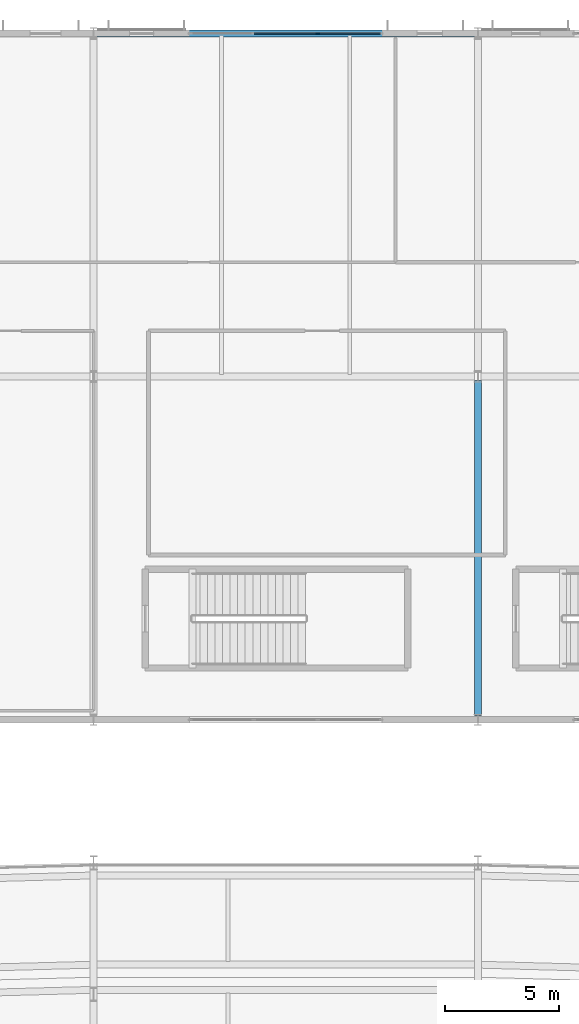
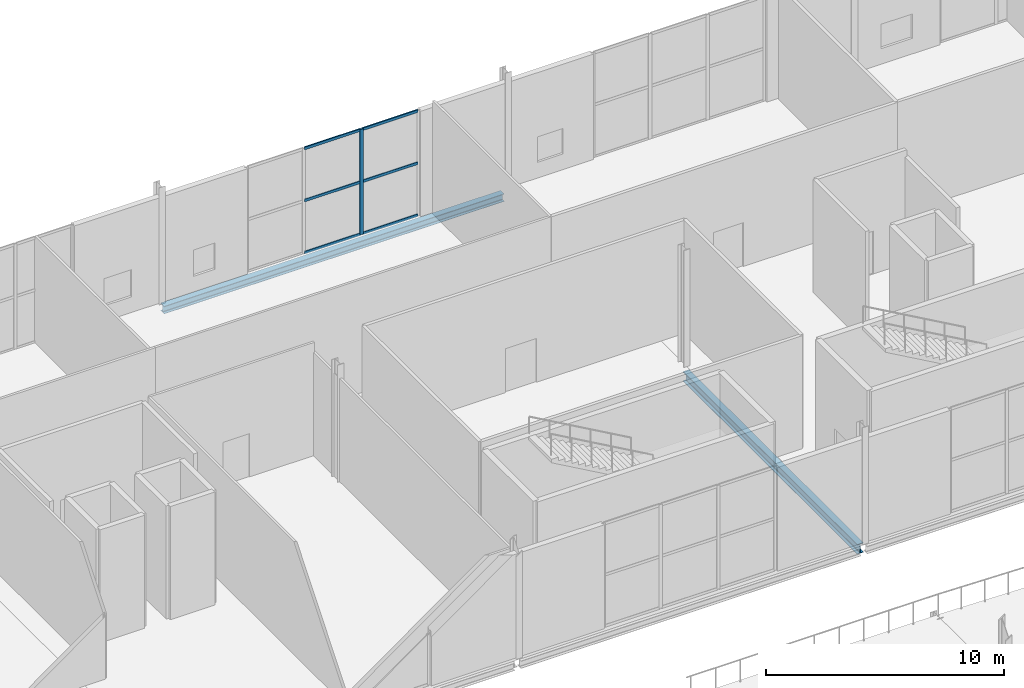
# One storey, part 42 of 100: 7 members, 2 beams, 1 element without a shape of its own.
"""IFC4 building model written with IfcOpenShell, lengths in metres."""

from ifc_helpers import new_model, si_unit, direction, frame, origin, origin_2d, place, context, subcontext, project, spatial, rectangle, i_section, extrude, material, material_profile, profile_set, type_object, element, aggregate, save


model = new_model("IFC4")

# Units and contexts
model_context = context("Model", 3, precision=1e-05, world=origin(), true_north=direction((0.0, 1.0)))
body_context = subcontext(model_context, "Body", "Model", "MODEL_VIEW")
ifc_project = project(units=[si_unit("LENGTHUNIT", "METRE"), si_unit("AREAUNIT", "SQUARE_METRE"), si_unit("VOLUMEUNIT", "CUBIC_METRE"), si_unit("PLANEANGLEUNIT", "RADIAN"), si_unit("MASSUNIT", "GRAM", prefix="KILO")], contexts=[model_context])

# Site, building, storey
site_placement = place(None, origin())
site = spatial("IfcSite", under=ifc_project, at=site_placement, CompositionType="ELEMENT")
building_placement = place(site_placement, origin())
building = spatial("IfcBuilding", under=site, at=building_placement, Name="Kimbaza Rail Terminus", CompositionType="ELEMENT")
storey_placement = place(building_placement, frame((0.0, 0.0, 10.800048828125)))
storey = spatial("IfcBuildingStorey", under=building, at=storey_placement, Name="L02", CompositionType="ELEMENT", Elevation=10.800048828125)

# Curtain wall, members
ifc_material_1 = material(Name="Anodised aluminium framing and solar low-E glazing", Category="aluminium")
curtain_wall_type = type_object("IfcCurtainWallType", Name="ARC-CW-OP1", PredefinedType="USERDEFINED", material=ifc_material_1)
curtain_wall_placement = place(storey_placement, origin())
curtain_wall = element("IfcCurtainWall", 1, at=curtain_wall_placement, inside=storey, type_object=curtain_wall_type, Name="Operations North Curtain Wall L02 Bay 4", ObjectType="UNITISED CURTAIN WALL", PredefinedType="USERDEFINED")
ifc_material_2 = material(Name="Anodised architectural aluminium", Category="aluminium")
ifc_material_profile_1 = material_profile(ifc_material_2, rectangle(XDim=0.06201171875, YDim=0.1650390625, at=origin_2d()), Name="MULLION 62x165")
ifc_profile_set_1 = profile_set([ifc_material_profile_1], Name="Anodised architectural aluminium")
member_type_1 = type_object("IfcMemberType", Name="ARC-CWM-05", PredefinedType="MULLION", material=ifc_profile_set_1)
member_1_placement = place(storey_placement, frame((115.39990234375, 133.0, 0.0), z_axis=(0.0, 0.0, 1.0), x_axis=(0.0, 1.0, 0.0)))
member_1 = element("IfcMember", 2, at=member_1_placement, type_object=member_type_1, Name="CW-05 mullion 3", PredefinedType="MULLION", context=body_context, shape_type="SweptSolid", body=[
    extrude(rectangle(XDim=0.06201171875, YDim=0.1650390625, at=origin_2d()), origin(), (0.0, 0.0, 1.0), 5.405029296875),
])
ifc_material_3 = material(Name="Anodised architectural aluminium", Category="aluminium")
ifc_material_profile_2 = material_profile(ifc_material_3, rectangle(XDim=0.06201171875, YDim=0.135009765625, at=origin_2d()), Name="TRANSOM 62x135")
ifc_profile_set_2 = profile_set([ifc_material_profile_2], Name="Anodised architectural aluminium")
member_type_2 = type_object("IfcMemberType", Name="ARC-CWT-05", PredefinedType="USERDEFINED", material=ifc_profile_set_2)
member_2_placement = place(storey_placement, frame((112.631103515625, 133.0, 0.031005859375), z_axis=(1.0, 0.0, 0.0), x_axis=(0.0, 1.0, 0.0)))
member_2 = element("IfcMember", 3, at=member_2_placement, type_object=member_type_2, Name="CW-05 transom 2.1", ObjectType="TRANSOM", PredefinedType="USERDEFINED", context=body_context, shape_type="SweptSolid", body=[
    extrude(rectangle(XDim=0.06201171875, YDim=0.135009765625, at=origin_2d()), origin(), (0.0, 0.0, 1.0), 2.73779296875),
])
member_3_placement = place(storey_placement, frame((112.631103515625, 133.0, 2.702392578125), z_axis=(1.0, 0.0, 0.0), x_axis=(0.0, 1.0, 0.0)))
member_3 = element("IfcMember", 4, at=member_3_placement, type_object=member_type_2, Name="CW-05 transom 2.2", ObjectType="TRANSOM", PredefinedType="USERDEFINED", context=body_context, shape_type="SweptSolid", body=[
    extrude(rectangle(XDim=0.06201171875, YDim=0.135009765625, at=origin_2d()), origin(), (0.0, 0.0, 1.0), 2.73779296875),
])
member_4_placement = place(storey_placement, frame((112.631103515625, 133.0, 5.3740234375), z_axis=(1.0, 0.0, 0.0), x_axis=(0.0, 1.0, 0.0)))
member_4 = element("IfcMember", 5, at=member_4_placement, type_object=member_type_2, Name="CW-05 transom 2.3", ObjectType="TRANSOM", PredefinedType="USERDEFINED", context=body_context, shape_type="SweptSolid", body=[
    extrude(rectangle(XDim=0.06201171875, YDim=0.135009765625, at=origin_2d()), origin(), (0.0, 0.0, 1.0), 2.73779296875),
])
member_5_placement = place(storey_placement, frame((115.430908203125, 133.0, 0.031005859375), z_axis=(1.0, 0.0, 0.0), x_axis=(0.0, 1.0, 0.0)))
member_5 = element("IfcMember", 6, at=member_5_placement, type_object=member_type_2, Name="CW-05 transom 3.1", ObjectType="TRANSOM", PredefinedType="USERDEFINED", context=body_context, shape_type="SweptSolid", body=[
    extrude(rectangle(XDim=0.06201171875, YDim=0.135009765625, at=origin_2d()), origin(), (0.0, 0.0, 1.0), 2.70703125),
])
member_6_placement = place(storey_placement, frame((115.430908203125, 133.0, 2.702392578125), z_axis=(1.0, 0.0, 0.0), x_axis=(0.0, 1.0, 0.0)))
member_6 = element("IfcMember", 7, at=member_6_placement, type_object=member_type_2, Name="CW-05 transom 3.2", ObjectType="TRANSOM", PredefinedType="USERDEFINED", context=body_context, shape_type="SweptSolid", body=[
    extrude(rectangle(XDim=0.06201171875, YDim=0.135009765625, at=origin_2d()), origin(), (0.0, 0.0, 1.0), 2.70703125),
])
member_7_placement = place(storey_placement, frame((115.430908203125, 133.0, 5.3740234375), z_axis=(1.0, 0.0, 0.0), x_axis=(0.0, 1.0, 0.0)))
member_7 = element("IfcMember", 8, at=member_7_placement, type_object=member_type_2, Name="CW-05 transom 3.3", ObjectType="TRANSOM", PredefinedType="USERDEFINED", context=body_context, shape_type="SweptSolid", body=[
    extrude(rectangle(XDim=0.06201171875, YDim=0.135009765625, at=origin_2d()), origin(), (0.0, 0.0, 1.0), 2.70703125),
])
aggregate(curtain_wall, [member_1, member_2, member_3, member_4, member_5, member_6, member_7])

# Beams
ifc_material_4 = material(Name="Steel S355", Category="steel")
ifc_material_profile_3 = material_profile(ifc_material_4, i_section(OverallWidth=0.300048828125, OverallDepth=0.389892578125, WebThickness=0.010986328125, FlangeThickness=0.01904296875, FilletRadius=0.027099609375, at=origin_2d()), Name="HEA 400")
ifc_profile_set_3 = profile_set([ifc_material_profile_3], Name="Steel S355")
beam_type_1 = type_object("IfcBeamType", Name="STR-BM-HEA400", PredefinedType="SPANDREL", material=ifc_profile_set_3)
beam_1_placement = place(storey_placement, frame((105.74609375, 133.0, -0.43505859375), z_axis=(1.0, 0.0, 0.0), x_axis=(0.0, 1.0, 0.0)))
element("IfcBeam", 9, at=beam_1_placement, inside=storey, type_object=beam_type_1, Name="Operations Girder L02 X3-Y2", PredefinedType="SPANDREL", context=body_context, shape_type="SweptSolid", body=[
    extrude(i_section(OverallWidth=0.300048828125, OverallDepth=0.389892578125, WebThickness=0.010986328125, FlangeThickness=0.01904296875, FilletRadius=0.027099609375, at=origin_2d()), origin(), (0.0, 0.0, 1.0), 16.5078125),
])
ifc_material_5 = material(Name="Steel S355", Category="steel")
ifc_material_profile_4 = material_profile(ifc_material_5, i_section(OverallWidth=0.300048828125, OverallDepth=0.5, WebThickness=0.014404296875, FlangeThickness=0.028076171875, FilletRadius=0.027099609375, at=origin_2d()), Name="HEB 500")
ifc_profile_set_4 = profile_set([ifc_material_profile_4], Name="Steel S355")
beam_type_2 = type_object("IfcBeamType", Name="STR-BM-HEB500", PredefinedType="BEAM", material=ifc_profile_set_4)
beam_2_placement = place(storey_placement, frame((122.39990234375, 103.175048828125, -0.489990234375), z_axis=(0.0, 1.0, 0.0), x_axis=(-1.0, 0.0, 0.0)))
element("IfcBeam", 10, at=beam_2_placement, inside=storey, type_object=beam_type_2, Name="Operations Cross Girder L02 X4-Y0", PredefinedType="BEAM", context=body_context, shape_type="SweptSolid", body=[
    extrude(i_section(OverallWidth=0.300048828125, OverallDepth=0.5, WebThickness=0.014404296875, FlangeThickness=0.028076171875, FilletRadius=0.027099609375, at=origin_2d()), origin(), (0.0, 0.0, 1.0), 14.64990234375),
])

save(model, "model.ifc")
